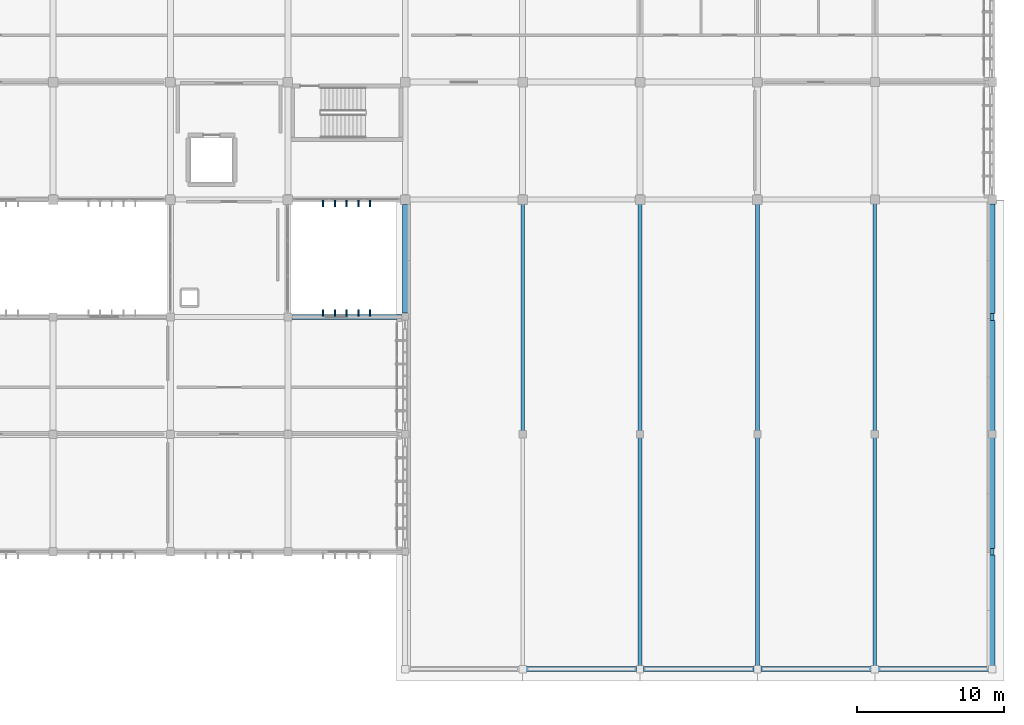
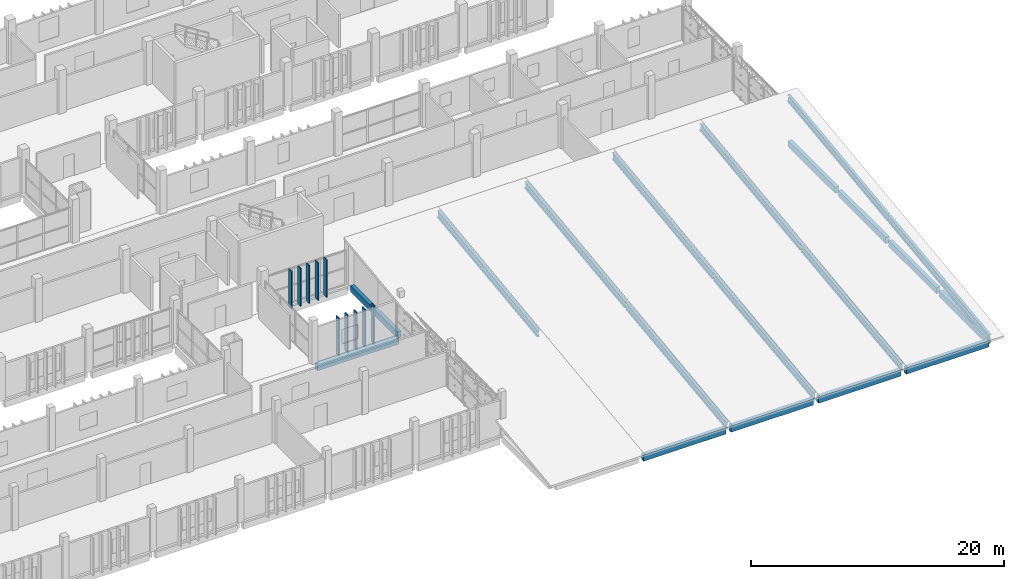
# One storey, part 43 of 83: 19 beams, 10 members.
"""IFC4 building model written with IfcOpenShell, lengths in metres."""

from ifc_helpers import new_model, si_unit, direction, frame, origin, origin_2d, place, context, subcontext, project, spatial, rectangle, i_section, extrude, material, material_profile, profile_set, type_object, element, save


model = new_model("IFC4")

# Units and contexts
model_context = context("Model", 3, precision=1e-05, world=origin(), true_north=direction((0.0, 1.0)))
body_context = subcontext(model_context, "Body", "Model", "MODEL_VIEW")
ifc_project = project(units=[si_unit("LENGTHUNIT", "METRE"), si_unit("AREAUNIT", "SQUARE_METRE"), si_unit("VOLUMEUNIT", "CUBIC_METRE"), si_unit("PLANEANGLEUNIT", "RADIAN"), si_unit("MASSUNIT", "GRAM", prefix="KILO")], contexts=[model_context])

# Site, building, storey
site_placement = place(None, origin())
site = spatial("IfcSite", under=ifc_project, at=site_placement, CompositionType="ELEMENT")
building_placement = place(site_placement, origin())
building = spatial("IfcBuilding", under=site, at=building_placement, Name="Jelvoka-Kovrelna Polytechnic", CompositionType="ELEMENT")
storey_placement = place(building_placement, frame((0.0, 0.0, 13.800048828125)))
storey = spatial("IfcBuildingStorey", under=building, at=storey_placement, Name="L04", CompositionType="ELEMENT", Elevation=13.800048828125)

# Beams
ifc_material_1 = material(Name="Structural steel S355JR", Category="steel")
ifc_material_profile_1 = material_profile(ifc_material_1, i_section(OverallWidth=0.2529296875, OverallDepth=0.677978515625, WebThickness=0.01171875, FlangeThickness=0.01611328125, FilletRadius=0.01513671875, at=origin_2d()), Name="686x254x125 UB")
ifc_profile_set_1 = profile_set([ifc_material_profile_1], Name="Structural steel S355JR")
beam_type_1 = type_object("IfcBeamType", Name="Girder_Steel_UB686", PredefinedType="BEAM", material=ifc_profile_set_1)
beam_1_placement = place(storey_placement, frame((168.0, 16.050048828125, 1.97998046875), z_axis=(0.0, 0.992258644021, 0.124188499331), x_axis=(-1.0, 0.0, 0.0)))
element("IfcBeam", 1, at=beam_1_placement, inside=storey, type_object=beam_type_1, Name="L04 V5 north outward-pitched girder 0254", PredefinedType="BEAM", context=body_context, shape_type="SweptSolid", body=[
    extrude(i_section(OverallWidth=0.2529296875, OverallDepth=0.677978515625, WebThickness=0.01171875, FlangeThickness=0.01611328125, FilletRadius=0.01513671875, at=origin_2d()), origin(), (0.0, 0.0, 1.0), 16.02392578125),
])
beam_2_placement = place(storey_placement, frame((176.0, 0.050048828125, 0.0400390625), z_axis=(0.0, 0.992713849108, 0.120495700292), x_axis=(-1.0, 0.0, 0.0)))
element("IfcBeam", 2, at=beam_2_placement, inside=storey, type_object=beam_type_1, Name="L04 V5 south outward-pitched girder 0255", PredefinedType="BEAM", context=body_context, shape_type="SweptSolid", body=[
    extrude(i_section(OverallWidth=0.2529296875, OverallDepth=0.677978515625, WebThickness=0.01171875, FlangeThickness=0.01611328125, FilletRadius=0.01513671875, at=origin_2d()), origin(), (0.0, 0.0, 1.0), 16.0166015625),
])
beam_3_placement = place(storey_placement, frame((176.0, 16.050048828125, 1.97998046875), z_axis=(0.0, 0.992258644021, 0.124188499331), x_axis=(-1.0, 0.0, 0.0)))
element("IfcBeam", 3, at=beam_3_placement, inside=storey, type_object=beam_type_1, Name="L04 V5 north outward-pitched girder 0256", PredefinedType="BEAM", context=body_context, shape_type="SweptSolid", body=[
    extrude(i_section(OverallWidth=0.2529296875, OverallDepth=0.677978515625, WebThickness=0.01171875, FlangeThickness=0.01611328125, FilletRadius=0.01513671875, at=origin_2d()), origin(), (0.0, 0.0, 1.0), 16.02392578125),
])
beam_4_placement = place(storey_placement, frame((184.0, 0.050048828125, 0.0400390625), z_axis=(0.0, 0.992713849108, 0.120495700292), x_axis=(-1.0, 0.0, 0.0)))
element("IfcBeam", 4, at=beam_4_placement, inside=storey, type_object=beam_type_1, Name="L04 V5 south outward-pitched girder 0257", PredefinedType="BEAM", context=body_context, shape_type="SweptSolid", body=[
    extrude(i_section(OverallWidth=0.2529296875, OverallDepth=0.677978515625, WebThickness=0.01171875, FlangeThickness=0.01611328125, FilletRadius=0.01513671875, at=origin_2d()), origin(), (0.0, 0.0, 1.0), 16.0166015625),
])
beam_5_placement = place(storey_placement, frame((184.0, 16.050048828125, 1.97998046875), z_axis=(0.0, 0.992258644021, 0.124188499331), x_axis=(-1.0, 0.0, 0.0)))
element("IfcBeam", 5, at=beam_5_placement, inside=storey, type_object=beam_type_1, Name="L04 V5 north outward-pitched girder 0258", PredefinedType="BEAM", context=body_context, shape_type="SweptSolid", body=[
    extrude(i_section(OverallWidth=0.2529296875, OverallDepth=0.677978515625, WebThickness=0.01171875, FlangeThickness=0.01611328125, FilletRadius=0.01513671875, at=origin_2d()), origin(), (0.0, 0.0, 1.0), 16.02392578125),
])
beam_6_placement = place(storey_placement, frame((192.0, 0.050048828125, 0.0400390625), z_axis=(0.0, 0.992713849108, 0.120495700292), x_axis=(-1.0, 0.0, 0.0)))
element("IfcBeam", 6, at=beam_6_placement, inside=storey, type_object=beam_type_1, Name="L04 V5 south outward-pitched girder 0259", PredefinedType="BEAM", context=body_context, shape_type="SweptSolid", body=[
    extrude(i_section(OverallWidth=0.2529296875, OverallDepth=0.677978515625, WebThickness=0.01171875, FlangeThickness=0.01611328125, FilletRadius=0.01513671875, at=origin_2d()), origin(), (0.0, 0.0, 1.0), 16.0166015625),
])
beam_7_placement = place(storey_placement, frame((192.0, 16.050048828125, 1.97998046875), z_axis=(0.0, 0.992258644021, 0.124188499331), x_axis=(-1.0, 0.0, 0.0)))
element("IfcBeam", 7, at=beam_7_placement, inside=storey, type_object=beam_type_1, Name="L04 V5 north outward-pitched girder 0260", PredefinedType="BEAM", context=body_context, shape_type="SweptSolid", body=[
    extrude(i_section(OverallWidth=0.2529296875, OverallDepth=0.677978515625, WebThickness=0.01171875, FlangeThickness=0.01611328125, FilletRadius=0.01513671875, at=origin_2d()), origin(), (0.0, 0.0, 1.0), 16.02392578125),
])
beam_8_placement = place(storey_placement, frame((200.0, 0.050048828125, 0.0400390625), z_axis=(0.0, 0.992713849108, 0.120495700292), x_axis=(-1.0, 0.0, 0.0)))
element("IfcBeam", 8, at=beam_8_placement, inside=storey, type_object=beam_type_1, Name="L04 V5 south outward-pitched girder 0261", PredefinedType="BEAM", context=body_context, shape_type="SweptSolid", body=[
    extrude(i_section(OverallWidth=0.2529296875, OverallDepth=0.677978515625, WebThickness=0.01171875, FlangeThickness=0.01611328125, FilletRadius=0.01513671875, at=origin_2d()), origin(), (0.0, 0.0, 1.0), 16.0166015625),
])
beam_9_placement = place(storey_placement, frame((200.0, 16.050048828125, 1.97998046875), z_axis=(0.0, 0.992258644021, 0.124188499331), x_axis=(-1.0, 0.0, 0.0)))
element("IfcBeam", 9, at=beam_9_placement, inside=storey, type_object=beam_type_1, Name="L04 V5 north outward-pitched girder 0262", PredefinedType="BEAM", context=body_context, shape_type="SweptSolid", body=[
    extrude(i_section(OverallWidth=0.2529296875, OverallDepth=0.677978515625, WebThickness=0.01171875, FlangeThickness=0.01611328125, FilletRadius=0.01513671875, at=origin_2d()), origin(), (0.0, 0.0, 1.0), 16.02392578125),
])

# Members
ifc_material_2 = material(Name="Precast concrete C40/50", Category="concrete")
ifc_material_profile_2 = material_profile(ifc_material_2, rectangle(XDim=0.10009765625, YDim=0.449951171875, at=origin_2d()), Name="PC 100x450")
ifc_profile_set_2 = profile_set([ifc_material_profile_2], Name="Precast concrete C40/50")
member_type = type_object("IfcMemberType", Name="Louvre_Fin_100x450", PredefinedType="USERDEFINED", material=ifc_profile_set_2)
for number, where, z_axis, x_axis, name in (
    (10, (154.39990234375, 24.264892578125, -0.27001953125), (0.0, 0.0, 1.0), (1.0, 0.0, 0.0), "L04 B1 north vertical solar louvre fin 0451"),
    (11, (155.199951171875, 24.264892578125, -0.27001953125), (0.0, 0.0, 1.0), (1.0, 0.0, 0.0), "L04 B1 north vertical solar louvre fin 0452"),
    (12, (156.0, 24.264892578125, -0.27001953125), (0.0, 0.0, 1.0), (1.0, 0.0, 0.0), "L04 B1 north vertical solar louvre fin 0453"),
    (13, (156.800048828125, 24.264892578125, -0.27001953125), (0.0, 0.0, 1.0), (1.0, 0.0, 0.0), "L04 B1 north vertical solar louvre fin 0454"),
    (14, (157.60009765625, 24.264892578125, -0.27001953125), (0.0, 0.0, 1.0), (1.0, 0.0, 0.0), "L04 B1 north vertical solar louvre fin 0455"),
):
    element("IfcMember", number, at=place(storey_placement, frame(where, z_axis=z_axis, x_axis=x_axis)), inside=storey, type_object=member_type, Name=name, ObjectType="SUNSHADE", PredefinedType="USERDEFINED", context=body_context, shape_type="SweptSolid", body=[
        extrude(rectangle(XDim=0.10009765625, YDim=0.449951171875, at=origin_2d()), origin(), (0.0, 0.0, 1.0), 3.669921875),
    ])
for number, where, z_axis, x_axis, name in (
    (15, (154.39990234375, 31.735107421875, -0.27001953125), (0.0, 0.0, 1.0), (1.0, 0.0, 0.0), "L04 B2E south vertical solar louvre fin 0986"),
    (16, (155.199951171875, 31.735107421875, -0.27001953125), (0.0, 0.0, 1.0), (1.0, 0.0, 0.0), "L04 B2E south vertical solar louvre fin 0987"),
    (17, (156.0, 31.735107421875, -0.27001953125), (0.0, 0.0, 1.0), (1.0, 0.0, 0.0), "L04 B2E south vertical solar louvre fin 0988"),
    (18, (156.800048828125, 31.735107421875, -0.27001953125), (0.0, 0.0, 1.0), (1.0, 0.0, 0.0), "L04 B2E south vertical solar louvre fin 0989"),
    (19, (157.60009765625, 31.735107421875, -0.27001953125), (0.0, 0.0, 1.0), (1.0, 0.0, 0.0), "L04 B2E south vertical solar louvre fin 0990"),
):
    element("IfcMember", number, at=place(storey_placement, frame(where, z_axis=z_axis, x_axis=x_axis)), inside=storey, type_object=member_type, Name=name, ObjectType="SUNSHADE", PredefinedType="USERDEFINED", context=body_context, shape_type="SweptSolid", body=[
        extrude(rectangle(XDim=0.10009765625, YDim=0.449951171875, at=origin_2d()), origin(), (0.0, 0.0, 1.0), 3.64501953125),
    ])

# Beams
ifc_material_3 = material(Name="Concrete C40/50", Category="concrete")
ifc_material_profile_3 = material_profile(ifc_material_3, rectangle(XDim=0.35009765625, YDim=0.60009765625, at=origin_2d()), Name="RC 350x600")
ifc_profile_set_3 = profile_set([ifc_material_profile_3], Name="Concrete C40/50")
beam_type_2 = type_object("IfcBeamType", Name="Spandrel_RC_350x600", PredefinedType="SPANDREL", material=ifc_profile_set_3)
for number, where, z_axis, x_axis, name in (
    (20, (168.22998046875, 0.0, -0.300048828125), (1.0, 0.0, 0.0), (0.0, 1.0, 0.0), "L04 beam 0264"),
    (21, (176.22998046875, 0.0, -0.300048828125), (1.0, 0.0, 0.0), (0.0, 1.0, 0.0), "L04 beam 0265"),
    (22, (184.22998046875, 0.0, -0.300048828125), (1.0, 0.0, 0.0), (0.0, 1.0, 0.0), "L04 beam 0266"),
    (23, (192.22998046875, 0.0, -0.300048828125), (1.0, 0.0, 0.0), (0.0, 1.0, 0.0), "L04 beam 0267"),
    (24, (200.0, 0.22998046875, -0.300048828125), (0.0, 1.0, 0.0), (-1.0, 0.0, 0.0), "L04 beam 0269"),
    (25, (200.0, 8.22998046875, -0.300048828125), (0.0, 1.0, 0.0), (-1.0, 0.0, 0.0), "L04 beam 0271"),
    (26, (200.0, 16.22998046875, -0.300048828125), (0.0, 1.0, 0.0), (-1.0, 0.0, 0.0), "L04 beam 0273"),
):
    element("IfcBeam", number, at=place(storey_placement, frame(where, z_axis=z_axis, x_axis=x_axis)), inside=storey, type_object=beam_type_2, Name=name, PredefinedType="SPANDREL", context=body_context, shape_type="SweptSolid", body=[
        extrude(rectangle(XDim=0.35009765625, YDim=0.60009765625, at=origin_2d()), origin(), (0.0, 0.0, 1.0), 7.5400390625),
    ])
beam_10_placement = place(storey_placement, frame((160.0, 24.2548828125, -0.300048828125), z_axis=(0.0, 1.0, 0.0), x_axis=(-1.0, 0.0, 0.0)))
element("IfcBeam", 27, at=beam_10_placement, inside=storey, type_object=beam_type_2, Name="L04 beam 0274", PredefinedType="SPANDREL", context=body_context, shape_type="SweptSolid", body=[
    extrude(rectangle(XDim=0.35009765625, YDim=0.60009765625, at=origin_2d()), origin(), (0.0, 0.0, 1.0), 7.4150390625),
])
for number, where, z_axis, x_axis, name in (
    (28, (200.0, 24.22998046875, -0.300048828125), (0.0, 1.0, 0.0), (-1.0, 0.0, 0.0), "L04 beam 0275"),
    (29, (152.280029296875, 24.0, -0.550048828125), (1.0, 0.0, 0.0), (0.0, 1.0, 0.0), "L04 beam 1165"),
):
    element("IfcBeam", number, at=place(storey_placement, frame(where, z_axis=z_axis, x_axis=x_axis)), inside=storey, type_object=beam_type_2, Name=name, PredefinedType="SPANDREL", context=body_context, shape_type="SweptSolid", body=[
        extrude(rectangle(XDim=0.35009765625, YDim=0.60009765625, at=origin_2d()), origin(), (0.0, 0.0, 1.0), 7.465087890625),
    ])

save(model, "model.ifc")
